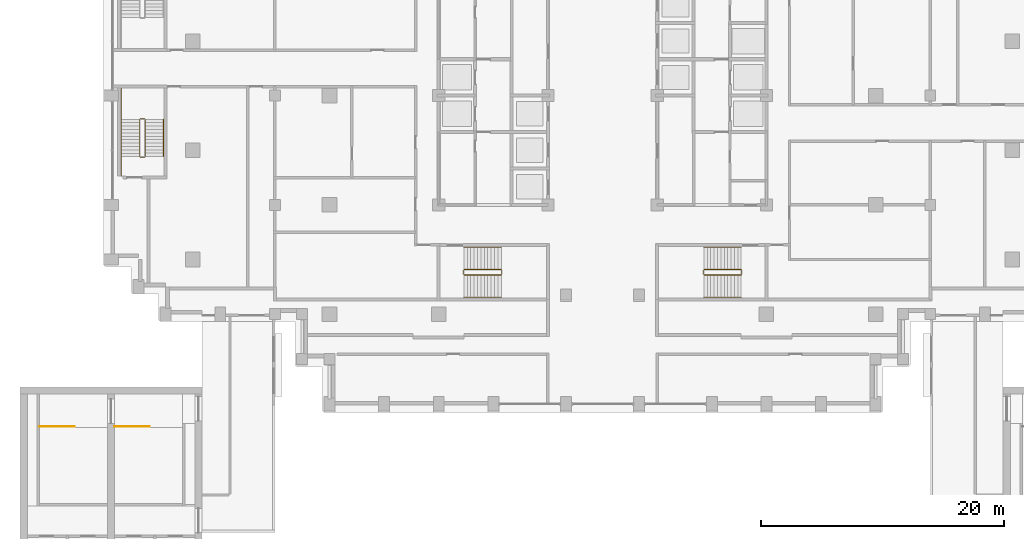
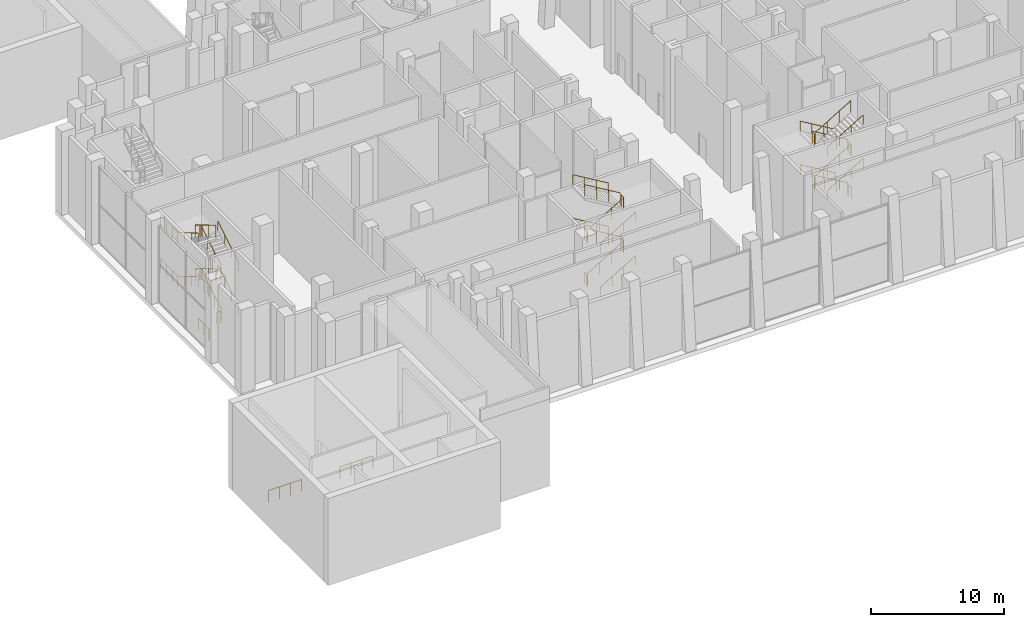
# One storey, part 20 of 24: 5 railings.
"""IFC4 building model written with IfcOpenShell, lengths in metres."""

from ifc_helpers import new_model, si_unit, direction, frame, origin, origin_2d, place, context, subcontext, project, spatial, circle, extrude, material, type_object, element, save


model = new_model("IFC4")

# Units and contexts
model_context = context("Model", 3, precision=1e-05, world=origin(), true_north=direction((0.0, 1.0)))
body_context = subcontext(model_context, "Body", "Model", "MODEL_VIEW")
ifc_project = project(units=[si_unit("LENGTHUNIT", "METRE"), si_unit("AREAUNIT", "SQUARE_METRE"), si_unit("VOLUMEUNIT", "CUBIC_METRE"), si_unit("PLANEANGLEUNIT", "RADIAN"), si_unit("MASSUNIT", "GRAM", prefix="KILO")], contexts=[model_context])

# Site, building, storey
site_placement = place(None, origin())
site = spatial("IfcSite", under=ifc_project, at=site_placement, CompositionType="ELEMENT")
building_placement = place(site_placement, origin())
building = spatial("IfcBuilding", under=site, at=building_placement, Name="Corbelhall Arena Tower", CompositionType="ELEMENT")
storey_placement = place(building_placement, frame((0.0, 0.0, 60.0)))
storey = spatial("IfcBuildingStorey", under=building, at=storey_placement, Name="L08", CompositionType="ELEMENT", Elevation=60.0)

# Railings
ifc_material_1 = material(Name="Stainless steel A4", Category="steel")
railing_type_1 = type_object("IfcRailingType", Name="AR-STAIR-GUARD", PredefinedType="GUARDRAIL", material=ifc_material_1)
for number, where, name in (
    (1, (-40.199951171875, -27.27001953125, 0.0), "L08 AS7 top well guards"),
    (2, (-46.389892578125, -27.27001953125, 0.0), "L08 AS8 top well guards"),
):
    element("IfcRailing", number, at=place(storey_placement, frame(where)), inside=storey, type_object=railing_type_1, Name=name, PredefinedType="GUARDRAIL", context=body_context, shape_type="SweptSolid", body=[
        extrude(circle(Radius=0.02392578125, at=origin_2d()), frame((0.0, 0.0, 1.076171875), z_axis=(1.0, 0.0, 0.0), x_axis=(0.0, 1.0, 0.0)), (0.0, 0.0, 1.0), 2.869873046875),
        extrude(circle(Radius=0.02099609375, at=origin_2d()), origin(), (0.0, 0.0, 1.0), 1.052001953125),
        extrude(circle(Radius=0.02099609375, at=origin_2d()), frame((0.95654296875, 0.0, 0.0)), (0.0, 0.0, 1.0), 1.052001953125),
        extrude(circle(Radius=0.02099609375, at=origin_2d()), frame((1.913330078125, 0.0, 0.0)), (0.0, 0.0, 1.0), 1.052001953125),
        extrude(circle(Radius=0.02099609375, at=origin_2d()), frame((2.869873046875, 0.0, 0.0)), (0.0, 0.0, 1.0), 1.052001953125),
    ])
ifc_material_2 = material(Name="Steel ASTM A500 Gr C", Category="steel")
railing_type_2 = type_object("IfcRailingType", Name="IN-GD-1100", PredefinedType="GUARDRAIL", material=ifc_material_2)
railing_1_placement = place(storey_placement, frame((-11.425048828125, -14.77490234375, 0.166748046875)))
element("IfcRailing", 3, at=railing_1_placement, inside=storey, type_object=railing_type_2, Name="L08 ST2 stair guards and handrails", PredefinedType="GUARDRAIL", context=body_context, shape_type="SweptSolid", body=[
    extrude(circle(Radius=0.02392578125, at=origin_2d()), frame((0.0, 0.0, 1.076171875), z_axis=(0.859308565015, 0.0, 0.511457515432), x_axis=(0.0, 1.0, 0.0)), (0.0, 0.0, 1.0), 3.58447265625),
    extrude(circle(Radius=0.02392578125, at=origin_2d()), frame((3.130126953125, 0.0498046875, 2.9091796875), z_axis=(0.0, 1.0, 0.0), x_axis=(-1.0, 0.0, 0.0)), (0.0, 0.0, 1.0), 0.35009765625),
    extrude(circle(Radius=0.02392578125, at=origin_2d()), frame((3.080078125, 0.449951171875, 3.076171875), z_axis=(-0.859308565015, 0.0, 0.511457515432), x_axis=(0.0, -1.0, 0.0)), (0.0, 0.0, 1.0), 3.58447265625),
    extrude(circle(Radius=0.02392578125, at=origin_2d()), frame((-0.050048828125, 0.0498046875, 4.9091796875), z_axis=(0.0, 1.0, 0.0), x_axis=(-1.0, 0.0, 0.0)), (0.0, 0.0, 1.0), 0.35009765625),
    extrude(circle(Radius=0.02392578125, at=origin_2d()), frame((0.0, 0.0, 5.076171875), z_axis=(0.859308565015, 0.0, 0.511457515432), x_axis=(0.0, 1.0, 0.0)), (0.0, 0.0, 1.0), 3.58447265625),
    extrude(circle(Radius=0.02392578125, at=origin_2d()), frame((3.130126953125, 0.0498046875, 6.9091796875), z_axis=(0.0, 1.0, 0.0), x_axis=(-1.0, 0.0, 0.0)), (0.0, 0.0, 1.0), 0.35009765625),
    extrude(circle(Radius=0.02392578125, at=origin_2d()), frame((3.080078125, 0.449951171875, 7.076171875), z_axis=(-0.859308565015, 0.0, 0.511457515432), x_axis=(0.0, -1.0, 0.0)), (0.0, 0.0, 1.0), 3.58447265625),
    extrude(circle(Radius=0.02392578125, at=origin_2d()), frame((-0.050048828125, 0.0498046875, 0.9091796875), z_axis=(0.0, 1.0, 0.0), x_axis=(-1.0, 0.0, 0.0)), (0.0, 0.0, 1.0), 0.35009765625),
    extrude(circle(Radius=0.02392578125, at=origin_2d()), frame((0.0, -1.85009765625, 0.8759765625), z_axis=(0.859308565015, 0.0, 0.511457515432), x_axis=(0.0, 1.0, 0.0)), (0.0, 0.0, 1.0), 3.58447265625),
    extrude(circle(Radius=0.02392578125, at=origin_2d()), frame((3.080078125, 2.2998046875, 2.8759765625), z_axis=(-0.859308565015, 0.0, 0.511457515432), x_axis=(0.0, -1.0, 0.0)), (0.0, 0.0, 1.0), 3.58447265625),
    extrude(circle(Radius=0.02392578125, at=origin_2d()), frame((0.0, -1.85009765625, 4.8759765625), z_axis=(0.859308565015, 0.0, 0.511457515432), x_axis=(0.0, 1.0, 0.0)), (0.0, 0.0, 1.0), 3.58447265625),
    extrude(circle(Radius=0.02392578125, at=origin_2d()), frame((3.080078125, 2.2998046875, 6.8759765625), z_axis=(-0.859308565015, 0.0, 0.511457515432), x_axis=(0.0, -1.0, 0.0)), (0.0, 0.0, 1.0), 3.58447265625),
    extrude(circle(Radius=0.02099609375, at=origin_2d()), origin(), (0.0, 0.0, 1.0), 1.052001953125),
    extrude(circle(Radius=0.02099609375, at=origin_2d()), frame((1.026611328125, 0.0, 0.611083984375)), (0.0, 0.0, 1.0), 1.052001953125),
    extrude(circle(Radius=0.02099609375, at=origin_2d()), frame((2.053466796875, 0.0, 1.22216796875)), (0.0, 0.0, 1.0), 1.052001953125),
    extrude(circle(Radius=0.02099609375, at=origin_2d()), frame((3.080078125, 0.0, 1.833251953125)), (0.0, 0.0, 1.0), 1.052001953125),
    extrude(circle(Radius=0.02099609375, at=origin_2d()), frame((3.130126953125, 0.0498046875, 1.833251953125)), (0.0, 0.0, 1.0), 1.052001953125),
    extrude(circle(Radius=0.02099609375, at=origin_2d()), frame((3.130126953125, 0.39990234375, 1.833251953125)), (0.0, 0.0, 1.0), 1.052001953125),
    extrude(circle(Radius=0.02099609375, at=origin_2d()), frame((3.080078125, 0.449951171875, 2.0)), (0.0, 0.0, 1.0), 1.052001953125),
    extrude(circle(Radius=0.02099609375, at=origin_2d()), frame((2.053466796875, 0.449951171875, 2.611083984375)), (0.0, 0.0, 1.0), 1.052001953125),
    extrude(circle(Radius=0.02099609375, at=origin_2d()), frame((1.026611328125, 0.449951171875, 3.22216796875)), (0.0, 0.0, 1.0), 1.052001953125),
    extrude(circle(Radius=0.02099609375, at=origin_2d()), frame((0.0, 0.449951171875, 3.833251953125)), (0.0, 0.0, 1.0), 1.052001953125),
    extrude(circle(Radius=0.02099609375, at=origin_2d()), frame((-0.050048828125, 0.0498046875, 3.833251953125)), (0.0, 0.0, 1.0), 1.052001953125),
    extrude(circle(Radius=0.02099609375, at=origin_2d()), frame((-0.050048828125, 0.39990234375, 3.833251953125)), (0.0, 0.0, 1.0), 1.052001953125),
    extrude(circle(Radius=0.02099609375, at=origin_2d()), frame((0.0, 0.0, 4.0)), (0.0, 0.0, 1.0), 1.052001953125),
    extrude(circle(Radius=0.02099609375, at=origin_2d()), frame((1.026611328125, 0.0, 4.611083984375)), (0.0, 0.0, 1.0), 1.052001953125),
    extrude(circle(Radius=0.02099609375, at=origin_2d()), frame((2.053466796875, 0.0, 5.22216796875)), (0.0, 0.0, 1.0), 1.052001953125),
    extrude(circle(Radius=0.02099609375, at=origin_2d()), frame((3.080078125, 0.0, 5.833251953125)), (0.0, 0.0, 1.0), 1.052001953125),
    extrude(circle(Radius=0.02099609375, at=origin_2d()), frame((3.130126953125, 0.0498046875, 5.833251953125)), (0.0, 0.0, 1.0), 1.052001953125),
    extrude(circle(Radius=0.02099609375, at=origin_2d()), frame((3.130126953125, 0.39990234375, 5.833251953125)), (0.0, 0.0, 1.0), 1.052001953125),
    extrude(circle(Radius=0.02099609375, at=origin_2d()), frame((3.080078125, 0.449951171875, 6.0)), (0.0, 0.0, 1.0), 1.052001953125),
    extrude(circle(Radius=0.02099609375, at=origin_2d()), frame((2.053466796875, 0.449951171875, 6.611083984375)), (0.0, 0.0, 1.0), 1.052001953125),
    extrude(circle(Radius=0.02099609375, at=origin_2d()), frame((1.026611328125, 0.449951171875, 7.22216796875)), (0.0, 0.0, 1.0), 1.052001953125),
    extrude(circle(Radius=0.02099609375, at=origin_2d()), frame((0.0, 0.449951171875, 7.833251953125)), (0.0, 0.0, 1.0), 1.052001953125),
    extrude(circle(Radius=0.02099609375, at=origin_2d()), frame((-0.050048828125, 0.0498046875, -0.166748046875)), (0.0, 0.0, 1.0), 1.052001953125),
    extrude(circle(Radius=0.02099609375, at=origin_2d()), frame((-0.050048828125, 0.39990234375, -0.166748046875)), (0.0, 0.0, 1.0), 1.052001953125),
    extrude(circle(Radius=0.02099609375, at=origin_2d()), frame((0.0, -1.85009765625, 0.0)), (0.0, 0.0, 1.0), 0.851806640625),
    extrude(circle(Radius=0.02099609375, at=origin_2d()), frame((1.026611328125, -1.85009765625, 0.611083984375)), (0.0, 0.0, 1.0), 0.851806640625),
    extrude(circle(Radius=0.02099609375, at=origin_2d()), frame((2.053466796875, -1.85009765625, 1.22216796875)), (0.0, 0.0, 1.0), 0.851806640625),
    extrude(circle(Radius=0.02099609375, at=origin_2d()), frame((3.080078125, -1.85009765625, 1.833251953125)), (0.0, 0.0, 1.0), 0.851806640625),
    extrude(circle(Radius=0.02099609375, at=origin_2d()), frame((3.080078125, 2.2998046875, 2.0)), (0.0, 0.0, 1.0), 0.851806640625),
    extrude(circle(Radius=0.02099609375, at=origin_2d()), frame((2.053466796875, 2.2998046875, 2.611083984375)), (0.0, 0.0, 1.0), 0.851806640625),
    extrude(circle(Radius=0.02099609375, at=origin_2d()), frame((1.026611328125, 2.2998046875, 3.22216796875)), (0.0, 0.0, 1.0), 0.851806640625),
    extrude(circle(Radius=0.02099609375, at=origin_2d()), frame((0.0, 2.2998046875, 3.833251953125)), (0.0, 0.0, 1.0), 0.851806640625),
    extrude(circle(Radius=0.02099609375, at=origin_2d()), frame((0.0, -1.85009765625, 4.0)), (0.0, 0.0, 1.0), 0.851806640625),
    extrude(circle(Radius=0.02099609375, at=origin_2d()), frame((1.026611328125, -1.85009765625, 4.611083984375)), (0.0, 0.0, 1.0), 0.851806640625),
    extrude(circle(Radius=0.02099609375, at=origin_2d()), frame((2.053466796875, -1.85009765625, 5.22216796875)), (0.0, 0.0, 1.0), 0.851806640625),
    extrude(circle(Radius=0.02099609375, at=origin_2d()), frame((3.080078125, -1.85009765625, 5.833251953125)), (0.0, 0.0, 1.0), 0.851806640625),
    extrude(circle(Radius=0.02099609375, at=origin_2d()), frame((3.080078125, 2.2998046875, 6.0)), (0.0, 0.0, 1.0), 0.851806640625),
    extrude(circle(Radius=0.02099609375, at=origin_2d()), frame((2.053466796875, 2.2998046875, 6.611083984375)), (0.0, 0.0, 1.0), 0.851806640625),
    extrude(circle(Radius=0.02099609375, at=origin_2d()), frame((1.026611328125, 2.2998046875, 7.22216796875)), (0.0, 0.0, 1.0), 0.851806640625),
    extrude(circle(Radius=0.02099609375, at=origin_2d()), frame((0.0, 2.2998046875, 7.833251953125)), (0.0, 0.0, 1.0), 0.851806640625),
])
railing_2_placement = place(storey_placement, frame((11.425048828125, -14.324951171875, 0.166748046875)))
element("IfcRailing", 4, at=railing_2_placement, inside=storey, type_object=railing_type_2, Name="L08 ST4 stair guards and handrails", PredefinedType="GUARDRAIL", context=body_context, shape_type="SweptSolid", body=[
    extrude(circle(Radius=0.02392578125, at=origin_2d()), frame((0.0, 0.0, 1.076171875), z_axis=(-0.859308565015, 0.0, 0.511457515432), x_axis=(0.0, -1.0, 0.0)), (0.0, 0.0, 1.0), 3.58447265625),
    extrude(circle(Radius=0.02392578125, at=origin_2d()), frame((-3.130126953125, -0.050048828125, 2.9091796875), z_axis=(0.0, -1.0, 0.0), x_axis=(1.0, 0.0, 0.0)), (0.0, 0.0, 1.0), 0.35009765625),
    extrude(circle(Radius=0.02392578125, at=origin_2d()), frame((-3.080078125, -0.449951171875, 3.076171875), z_axis=(0.859308565015, 0.0, 0.511457515432), x_axis=(0.0, 1.0, 0.0)), (0.0, 0.0, 1.0), 3.58447265625),
    extrude(circle(Radius=0.02392578125, at=origin_2d()), frame((0.050048828125, -0.050048828125, 4.9091796875), z_axis=(0.0, -1.0, 0.0), x_axis=(1.0, 0.0, 0.0)), (0.0, 0.0, 1.0), 0.35009765625),
    extrude(circle(Radius=0.02392578125, at=origin_2d()), frame((0.0, 0.0, 5.076171875), z_axis=(-0.859308565015, 0.0, 0.511457515432), x_axis=(0.0, -1.0, 0.0)), (0.0, 0.0, 1.0), 3.58447265625),
    extrude(circle(Radius=0.02392578125, at=origin_2d()), frame((-3.130126953125, -0.050048828125, 6.9091796875), z_axis=(0.0, -1.0, 0.0), x_axis=(1.0, 0.0, 0.0)), (0.0, 0.0, 1.0), 0.35009765625),
    extrude(circle(Radius=0.02392578125, at=origin_2d()), frame((-3.080078125, -0.449951171875, 7.076171875), z_axis=(0.859308565015, 0.0, 0.511457515432), x_axis=(0.0, 1.0, 0.0)), (0.0, 0.0, 1.0), 3.58447265625),
    extrude(circle(Radius=0.02392578125, at=origin_2d()), frame((0.050048828125, -0.050048828125, 0.9091796875), z_axis=(0.0, -1.0, 0.0), x_axis=(1.0, 0.0, 0.0)), (0.0, 0.0, 1.0), 0.35009765625),
    extrude(circle(Radius=0.02392578125, at=origin_2d()), frame((0.0, 1.849853515625, 0.8759765625), z_axis=(-0.859308565015, 0.0, 0.511457515432), x_axis=(0.0, -1.0, 0.0)), (0.0, 0.0, 1.0), 3.58447265625),
    extrude(circle(Radius=0.02392578125, at=origin_2d()), frame((-3.080078125, -2.300048828125, 2.8759765625), z_axis=(0.859308565015, 0.0, 0.511457515432), x_axis=(0.0, 1.0, 0.0)), (0.0, 0.0, 1.0), 3.58447265625),
    extrude(circle(Radius=0.02392578125, at=origin_2d()), frame((0.0, 1.849853515625, 4.8759765625), z_axis=(-0.859308565015, 0.0, 0.511457515432), x_axis=(0.0, -1.0, 0.0)), (0.0, 0.0, 1.0), 3.58447265625),
    extrude(circle(Radius=0.02392578125, at=origin_2d()), frame((-3.080078125, -2.300048828125, 6.8759765625), z_axis=(0.859308565015, 0.0, 0.511457515432), x_axis=(0.0, 1.0, 0.0)), (0.0, 0.0, 1.0), 3.58447265625),
    extrude(circle(Radius=0.02099609375, at=origin_2d()), origin(), (0.0, 0.0, 1.0), 1.052001953125),
    extrude(circle(Radius=0.02099609375, at=origin_2d()), frame((-1.026611328125, 0.0, 0.611083984375)), (0.0, 0.0, 1.0), 1.052001953125),
    extrude(circle(Radius=0.02099609375, at=origin_2d()), frame((-2.053466796875, 0.0, 1.22216796875)), (0.0, 0.0, 1.0), 1.052001953125),
    extrude(circle(Radius=0.02099609375, at=origin_2d()), frame((-3.080078125, 0.0, 1.833251953125)), (0.0, 0.0, 1.0), 1.052001953125),
    extrude(circle(Radius=0.02099609375, at=origin_2d()), frame((-3.130126953125, -0.050048828125, 1.833251953125)), (0.0, 0.0, 1.0), 1.052001953125),
    extrude(circle(Radius=0.02099609375, at=origin_2d()), frame((-3.130126953125, -0.400146484375, 1.833251953125)), (0.0, 0.0, 1.0), 1.052001953125),
    extrude(circle(Radius=0.02099609375, at=origin_2d()), frame((-3.080078125, -0.449951171875, 2.0)), (0.0, 0.0, 1.0), 1.052001953125),
    extrude(circle(Radius=0.02099609375, at=origin_2d()), frame((-2.053466796875, -0.449951171875, 2.611083984375)), (0.0, 0.0, 1.0), 1.052001953125),
    extrude(circle(Radius=0.02099609375, at=origin_2d()), frame((-1.026611328125, -0.449951171875, 3.22216796875)), (0.0, 0.0, 1.0), 1.052001953125),
    extrude(circle(Radius=0.02099609375, at=origin_2d()), frame((0.0, -0.449951171875, 3.833251953125)), (0.0, 0.0, 1.0), 1.052001953125),
    extrude(circle(Radius=0.02099609375, at=origin_2d()), frame((0.050048828125, -0.050048828125, 3.833251953125)), (0.0, 0.0, 1.0), 1.052001953125),
    extrude(circle(Radius=0.02099609375, at=origin_2d()), frame((0.050048828125, -0.400146484375, 3.833251953125)), (0.0, 0.0, 1.0), 1.052001953125),
    extrude(circle(Radius=0.02099609375, at=origin_2d()), frame((0.0, 0.0, 4.0)), (0.0, 0.0, 1.0), 1.052001953125),
    extrude(circle(Radius=0.02099609375, at=origin_2d()), frame((-1.026611328125, 0.0, 4.611083984375)), (0.0, 0.0, 1.0), 1.052001953125),
    extrude(circle(Radius=0.02099609375, at=origin_2d()), frame((-2.053466796875, 0.0, 5.22216796875)), (0.0, 0.0, 1.0), 1.052001953125),
    extrude(circle(Radius=0.02099609375, at=origin_2d()), frame((-3.080078125, 0.0, 5.833251953125)), (0.0, 0.0, 1.0), 1.052001953125),
    extrude(circle(Radius=0.02099609375, at=origin_2d()), frame((-3.130126953125, -0.050048828125, 5.833251953125)), (0.0, 0.0, 1.0), 1.052001953125),
    extrude(circle(Radius=0.02099609375, at=origin_2d()), frame((-3.130126953125, -0.400146484375, 5.833251953125)), (0.0, 0.0, 1.0), 1.052001953125),
    extrude(circle(Radius=0.02099609375, at=origin_2d()), frame((-3.080078125, -0.449951171875, 6.0)), (0.0, 0.0, 1.0), 1.052001953125),
    extrude(circle(Radius=0.02099609375, at=origin_2d()), frame((-2.053466796875, -0.449951171875, 6.611083984375)), (0.0, 0.0, 1.0), 1.052001953125),
    extrude(circle(Radius=0.02099609375, at=origin_2d()), frame((-1.026611328125, -0.449951171875, 7.22216796875)), (0.0, 0.0, 1.0), 1.052001953125),
    extrude(circle(Radius=0.02099609375, at=origin_2d()), frame((0.0, -0.449951171875, 7.833251953125)), (0.0, 0.0, 1.0), 1.052001953125),
    extrude(circle(Radius=0.02099609375, at=origin_2d()), frame((0.050048828125, -0.050048828125, -0.166748046875)), (0.0, 0.0, 1.0), 1.052001953125),
    extrude(circle(Radius=0.02099609375, at=origin_2d()), frame((0.050048828125, -0.400146484375, -0.166748046875)), (0.0, 0.0, 1.0), 1.052001953125),
    extrude(circle(Radius=0.02099609375, at=origin_2d()), frame((0.0, 1.849853515625, 0.0)), (0.0, 0.0, 1.0), 0.851806640625),
    extrude(circle(Radius=0.02099609375, at=origin_2d()), frame((-1.026611328125, 1.849853515625, 0.611083984375)), (0.0, 0.0, 1.0), 0.851806640625),
    extrude(circle(Radius=0.02099609375, at=origin_2d()), frame((-2.053466796875, 1.849853515625, 1.22216796875)), (0.0, 0.0, 1.0), 0.851806640625),
    extrude(circle(Radius=0.02099609375, at=origin_2d()), frame((-3.080078125, 1.849853515625, 1.833251953125)), (0.0, 0.0, 1.0), 0.851806640625),
    extrude(circle(Radius=0.02099609375, at=origin_2d()), frame((-3.080078125, -2.300048828125, 2.0)), (0.0, 0.0, 1.0), 0.851806640625),
    extrude(circle(Radius=0.02099609375, at=origin_2d()), frame((-2.053466796875, -2.300048828125, 2.611083984375)), (0.0, 0.0, 1.0), 0.851806640625),
    extrude(circle(Radius=0.02099609375, at=origin_2d()), frame((-1.026611328125, -2.300048828125, 3.22216796875)), (0.0, 0.0, 1.0), 0.851806640625),
    extrude(circle(Radius=0.02099609375, at=origin_2d()), frame((0.0, -2.300048828125, 3.833251953125)), (0.0, 0.0, 1.0), 0.851806640625),
    extrude(circle(Radius=0.02099609375, at=origin_2d()), frame((0.0, 1.849853515625, 4.0)), (0.0, 0.0, 1.0), 0.851806640625),
    extrude(circle(Radius=0.02099609375, at=origin_2d()), frame((-1.026611328125, 1.849853515625, 4.611083984375)), (0.0, 0.0, 1.0), 0.851806640625),
    extrude(circle(Radius=0.02099609375, at=origin_2d()), frame((-2.053466796875, 1.849853515625, 5.22216796875)), (0.0, 0.0, 1.0), 0.851806640625),
    extrude(circle(Radius=0.02099609375, at=origin_2d()), frame((-3.080078125, 1.849853515625, 5.833251953125)), (0.0, 0.0, 1.0), 0.851806640625),
    extrude(circle(Radius=0.02099609375, at=origin_2d()), frame((-3.080078125, -2.300048828125, 6.0)), (0.0, 0.0, 1.0), 0.851806640625),
    extrude(circle(Radius=0.02099609375, at=origin_2d()), frame((-2.053466796875, -2.300048828125, 6.611083984375)), (0.0, 0.0, 1.0), 0.851806640625),
    extrude(circle(Radius=0.02099609375, at=origin_2d()), frame((-1.026611328125, -2.300048828125, 7.22216796875)), (0.0, 0.0, 1.0), 0.851806640625),
    extrude(circle(Radius=0.02099609375, at=origin_2d()), frame((0.0, -2.300048828125, 7.833251953125)), (0.0, 0.0, 1.0), 0.851806640625),
])
railing_3_placement = place(storey_placement, frame((-37.675048828125, -5.02490234375, 0.166748046875)))
element("IfcRailing", 5, at=railing_3_placement, inside=storey, type_object=railing_type_2, Name="L08 SC2 stair guards and handrails", PredefinedType="GUARDRAIL", context=body_context, shape_type="SweptSolid", body=[
    extrude(circle(Radius=0.02392578125, at=origin_2d()), frame((0.0, 0.0, 1.076171875), z_axis=(0.0, 0.859290745958, 0.51148745235), x_axis=(-1.0, 0.0, 0.0)), (0.0, 0.0, 1.0), 3.584228515625),
    extrude(circle(Radius=0.02392578125, at=origin_2d()), frame((-0.050048828125, 3.1298828125, 2.9091796875), z_axis=(-1.0, 0.0, 0.0), x_axis=(0.0, -1.0, 0.0)), (0.0, 0.0, 1.0), 0.375),
    extrude(circle(Radius=0.02392578125, at=origin_2d()), frame((-1.974853515625, 3.079833984375, 2.9091796875), z_axis=(0.0, 1.0, 0.0), x_axis=(-1.0, 0.0, 0.0)), (0.0, 0.0, 1.0), 2.570068359375),
    extrude(circle(Radius=0.02392578125, at=origin_2d()), frame((-0.474853515625, 3.079833984375, 3.076171875), z_axis=(0.0, -0.859290745958, 0.51148745235), x_axis=(1.0, 0.0, 0.0)), (0.0, 0.0, 1.0), 3.584228515625),
    extrude(circle(Radius=0.02392578125, at=origin_2d()), frame((-0.050048828125, -0.050048828125, 4.9091796875), z_axis=(-1.0, 0.0, 0.0), x_axis=(0.0, -1.0, 0.0)), (0.0, 0.0, 1.0), 0.375),
    extrude(circle(Radius=0.02392578125, at=origin_2d()), frame((-1.974853515625, -1.60009765625, 4.9091796875), z_axis=(0.0, 1.0, 0.0), x_axis=(-1.0, 0.0, 0.0)), (0.0, 0.0, 1.0), 1.60009765625),
    extrude(circle(Radius=0.02392578125, at=origin_2d()), frame((0.0, 0.0, 5.076171875), z_axis=(0.0, 0.859290745958, 0.51148745235), x_axis=(-1.0, 0.0, 0.0)), (0.0, 0.0, 1.0), 3.584228515625),
    extrude(circle(Radius=0.02392578125, at=origin_2d()), frame((-0.050048828125, 3.1298828125, 6.9091796875), z_axis=(-1.0, 0.0, 0.0), x_axis=(0.0, -1.0, 0.0)), (0.0, 0.0, 1.0), 0.375),
    extrude(circle(Radius=0.02392578125, at=origin_2d()), frame((-1.974853515625, 3.079833984375, 6.9091796875), z_axis=(0.0, 1.0, 0.0), x_axis=(-1.0, 0.0, 0.0)), (0.0, 0.0, 1.0), 2.570068359375),
    extrude(circle(Radius=0.02392578125, at=origin_2d()), frame((-0.474853515625, 3.079833984375, 7.076171875), z_axis=(0.0, -0.859290745958, 0.51148745235), x_axis=(1.0, 0.0, 0.0)), (0.0, 0.0, 1.0), 3.584228515625),
    extrude(circle(Radius=0.02392578125, at=origin_2d()), frame((-0.050048828125, -0.050048828125, 0.9091796875), z_axis=(-1.0, 0.0, 0.0), x_axis=(0.0, -1.0, 0.0)), (0.0, 0.0, 1.0), 0.375),
    extrude(circle(Radius=0.02392578125, at=origin_2d()), frame((-1.974853515625, -1.60009765625, 0.9091796875), z_axis=(0.0, 1.0, 0.0), x_axis=(-1.0, 0.0, 0.0)), (0.0, 0.0, 1.0), 1.60009765625),
    extrude(circle(Radius=0.02392578125, at=origin_2d()), frame((1.5, 0.0, 0.8759765625), z_axis=(0.0, 0.859290745958, 0.51148745235), x_axis=(-1.0, 0.0, 0.0)), (0.0, 0.0, 1.0), 3.584228515625),
    extrude(circle(Radius=0.02392578125, at=origin_2d()), frame((-1.974853515625, 3.079833984375, 2.8759765625), z_axis=(0.0, -0.859290745958, 0.51148745235), x_axis=(1.0, 0.0, 0.0)), (0.0, 0.0, 1.0), 3.584228515625),
    extrude(circle(Radius=0.02392578125, at=origin_2d()), frame((1.5, 0.0, 4.8759765625), z_axis=(0.0, 0.859290745958, 0.51148745235), x_axis=(-1.0, 0.0, 0.0)), (0.0, 0.0, 1.0), 3.584228515625),
    extrude(circle(Radius=0.02392578125, at=origin_2d()), frame((-1.974853515625, 3.079833984375, 6.8759765625), z_axis=(0.0, -0.859290745958, 0.51148745235), x_axis=(1.0, 0.0, 0.0)), (0.0, 0.0, 1.0), 3.584228515625),
    extrude(circle(Radius=0.02099609375, at=origin_2d()), origin(), (0.0, 0.0, 1.0), 1.052001953125),
    extrude(circle(Radius=0.02099609375, at=origin_2d()), frame((0.0, 1.026611328125, 0.611083984375)), (0.0, 0.0, 1.0), 1.052001953125),
    extrude(circle(Radius=0.02099609375, at=origin_2d()), frame((0.0, 2.05322265625, 1.22216796875)), (0.0, 0.0, 1.0), 1.052001953125),
    extrude(circle(Radius=0.02099609375, at=origin_2d()), frame((0.0, 3.079833984375, 1.833251953125)), (0.0, 0.0, 1.0), 1.052001953125),
    extrude(circle(Radius=0.02099609375, at=origin_2d()), frame((-0.050048828125, 3.1298828125, 1.833251953125)), (0.0, 0.0, 1.0), 1.052001953125),
    extrude(circle(Radius=0.02099609375, at=origin_2d()), frame((-0.425048828125, 3.1298828125, 1.833251953125)), (0.0, 0.0, 1.0), 1.052001953125),
    extrude(circle(Radius=0.02099609375, at=origin_2d()), frame((-1.974853515625, 3.079833984375, 1.833251953125)), (0.0, 0.0, 1.0), 1.052001953125),
    extrude(circle(Radius=0.02099609375, at=origin_2d()), frame((-1.974853515625, 3.9365234375, 1.833251953125)), (0.0, 0.0, 1.0), 1.052001953125),
    extrude(circle(Radius=0.02099609375, at=origin_2d()), frame((-1.974853515625, 4.793212890625, 1.833251953125)), (0.0, 0.0, 1.0), 1.052001953125),
    extrude(circle(Radius=0.02099609375, at=origin_2d()), frame((-1.974853515625, 5.64990234375, 1.833251953125)), (0.0, 0.0, 1.0), 1.052001953125),
    extrude(circle(Radius=0.02099609375, at=origin_2d()), frame((-0.474853515625, 3.079833984375, 2.0)), (0.0, 0.0, 1.0), 1.052001953125),
    extrude(circle(Radius=0.02099609375, at=origin_2d()), frame((-0.474853515625, 2.05322265625, 2.611083984375)), (0.0, 0.0, 1.0), 1.052001953125),
    extrude(circle(Radius=0.02099609375, at=origin_2d()), frame((-0.474853515625, 1.026611328125, 3.22216796875)), (0.0, 0.0, 1.0), 1.052001953125),
    extrude(circle(Radius=0.02099609375, at=origin_2d()), frame((-0.474853515625, 0.0, 3.833251953125)), (0.0, 0.0, 1.0), 1.052001953125),
    extrude(circle(Radius=0.02099609375, at=origin_2d()), frame((-0.050048828125, -0.050048828125, 3.833251953125)), (0.0, 0.0, 1.0), 1.052001953125),
    extrude(circle(Radius=0.02099609375, at=origin_2d()), frame((-0.425048828125, -0.050048828125, 3.833251953125)), (0.0, 0.0, 1.0), 1.052001953125),
    extrude(circle(Radius=0.02099609375, at=origin_2d()), frame((-1.974853515625, -1.60009765625, 3.833251953125)), (0.0, 0.0, 1.0), 1.052001953125),
    extrude(circle(Radius=0.02099609375, at=origin_2d()), frame((-1.974853515625, -0.800048828125, 3.833251953125)), (0.0, 0.0, 1.0), 1.052001953125),
    extrude(circle(Radius=0.02099609375, at=origin_2d()), frame((-1.974853515625, 0.0, 3.833251953125)), (0.0, 0.0, 1.0), 1.052001953125),
    extrude(circle(Radius=0.02099609375, at=origin_2d()), frame((0.0, 0.0, 4.0)), (0.0, 0.0, 1.0), 1.052001953125),
    extrude(circle(Radius=0.02099609375, at=origin_2d()), frame((0.0, 1.026611328125, 4.611083984375)), (0.0, 0.0, 1.0), 1.052001953125),
    extrude(circle(Radius=0.02099609375, at=origin_2d()), frame((0.0, 2.05322265625, 5.22216796875)), (0.0, 0.0, 1.0), 1.052001953125),
    extrude(circle(Radius=0.02099609375, at=origin_2d()), frame((0.0, 3.079833984375, 5.833251953125)), (0.0, 0.0, 1.0), 1.052001953125),
    extrude(circle(Radius=0.02099609375, at=origin_2d()), frame((-0.050048828125, 3.1298828125, 5.833251953125)), (0.0, 0.0, 1.0), 1.052001953125),
    extrude(circle(Radius=0.02099609375, at=origin_2d()), frame((-0.425048828125, 3.1298828125, 5.833251953125)), (0.0, 0.0, 1.0), 1.052001953125),
    extrude(circle(Radius=0.02099609375, at=origin_2d()), frame((-1.974853515625, 3.079833984375, 5.833251953125)), (0.0, 0.0, 1.0), 1.052001953125),
    extrude(circle(Radius=0.02099609375, at=origin_2d()), frame((-1.974853515625, 3.9365234375, 5.833251953125)), (0.0, 0.0, 1.0), 1.052001953125),
    extrude(circle(Radius=0.02099609375, at=origin_2d()), frame((-1.974853515625, 4.793212890625, 5.833251953125)), (0.0, 0.0, 1.0), 1.052001953125),
    extrude(circle(Radius=0.02099609375, at=origin_2d()), frame((-1.974853515625, 5.64990234375, 5.833251953125)), (0.0, 0.0, 1.0), 1.052001953125),
    extrude(circle(Radius=0.02099609375, at=origin_2d()), frame((-0.474853515625, 3.079833984375, 6.0)), (0.0, 0.0, 1.0), 1.052001953125),
    extrude(circle(Radius=0.02099609375, at=origin_2d()), frame((-0.474853515625, 2.05322265625, 6.611083984375)), (0.0, 0.0, 1.0), 1.052001953125),
    extrude(circle(Radius=0.02099609375, at=origin_2d()), frame((-0.474853515625, 1.026611328125, 7.22216796875)), (0.0, 0.0, 1.0), 1.052001953125),
    extrude(circle(Radius=0.02099609375, at=origin_2d()), frame((-0.474853515625, 0.0, 7.833251953125)), (0.0, 0.0, 1.0), 1.052001953125),
    extrude(circle(Radius=0.02099609375, at=origin_2d()), frame((-0.050048828125, -0.050048828125, -0.166748046875)), (0.0, 0.0, 1.0), 1.052001953125),
    extrude(circle(Radius=0.02099609375, at=origin_2d()), frame((-0.425048828125, -0.050048828125, -0.166748046875)), (0.0, 0.0, 1.0), 1.052001953125),
    extrude(circle(Radius=0.02099609375, at=origin_2d()), frame((-1.974853515625, -1.60009765625, -0.166748046875)), (0.0, 0.0, 1.0), 1.052001953125),
    extrude(circle(Radius=0.02099609375, at=origin_2d()), frame((-1.974853515625, -0.800048828125, -0.166748046875)), (0.0, 0.0, 1.0), 1.052001953125),
    extrude(circle(Radius=0.02099609375, at=origin_2d()), frame((-1.974853515625, 0.0, -0.166748046875)), (0.0, 0.0, 1.0), 1.052001953125),
    extrude(circle(Radius=0.02099609375, at=origin_2d()), frame((1.5, 0.0, 0.0)), (0.0, 0.0, 1.0), 0.851806640625),
    extrude(circle(Radius=0.02099609375, at=origin_2d()), frame((1.5, 1.026611328125, 0.611083984375)), (0.0, 0.0, 1.0), 0.851806640625),
    extrude(circle(Radius=0.02099609375, at=origin_2d()), frame((1.5, 2.05322265625, 1.22216796875)), (0.0, 0.0, 1.0), 0.851806640625),
    extrude(circle(Radius=0.02099609375, at=origin_2d()), frame((1.5, 3.079833984375, 1.833251953125)), (0.0, 0.0, 1.0), 0.851806640625),
    extrude(circle(Radius=0.02099609375, at=origin_2d()), frame((-1.974853515625, 3.079833984375, 2.0)), (0.0, 0.0, 1.0), 0.851806640625),
    extrude(circle(Radius=0.02099609375, at=origin_2d()), frame((-1.974853515625, 2.05322265625, 2.611083984375)), (0.0, 0.0, 1.0), 0.851806640625),
    extrude(circle(Radius=0.02099609375, at=origin_2d()), frame((-1.974853515625, 1.026611328125, 3.22216796875)), (0.0, 0.0, 1.0), 0.851806640625),
    extrude(circle(Radius=0.02099609375, at=origin_2d()), frame((1.5, 0.0, 4.0)), (0.0, 0.0, 1.0), 0.851806640625),
    extrude(circle(Radius=0.02099609375, at=origin_2d()), frame((1.5, 1.026611328125, 4.611083984375)), (0.0, 0.0, 1.0), 0.851806640625),
    extrude(circle(Radius=0.02099609375, at=origin_2d()), frame((1.5, 2.05322265625, 5.22216796875)), (0.0, 0.0, 1.0), 0.851806640625),
    extrude(circle(Radius=0.02099609375, at=origin_2d()), frame((1.5, 3.079833984375, 5.833251953125)), (0.0, 0.0, 1.0), 0.851806640625),
    extrude(circle(Radius=0.02099609375, at=origin_2d()), frame((-1.974853515625, 3.079833984375, 6.0)), (0.0, 0.0, 1.0), 0.851806640625),
    extrude(circle(Radius=0.02099609375, at=origin_2d()), frame((-1.974853515625, 2.05322265625, 6.611083984375)), (0.0, 0.0, 1.0), 0.851806640625),
    extrude(circle(Radius=0.02099609375, at=origin_2d()), frame((-1.974853515625, 1.026611328125, 7.22216796875)), (0.0, 0.0, 1.0), 0.851806640625),
    extrude(circle(Radius=0.02099609375, at=origin_2d()), frame((-1.974853515625, 0.0, 7.833251953125)), (0.0, 0.0, 1.0), 0.851806640625),
])

save(model, "model.ifc")
